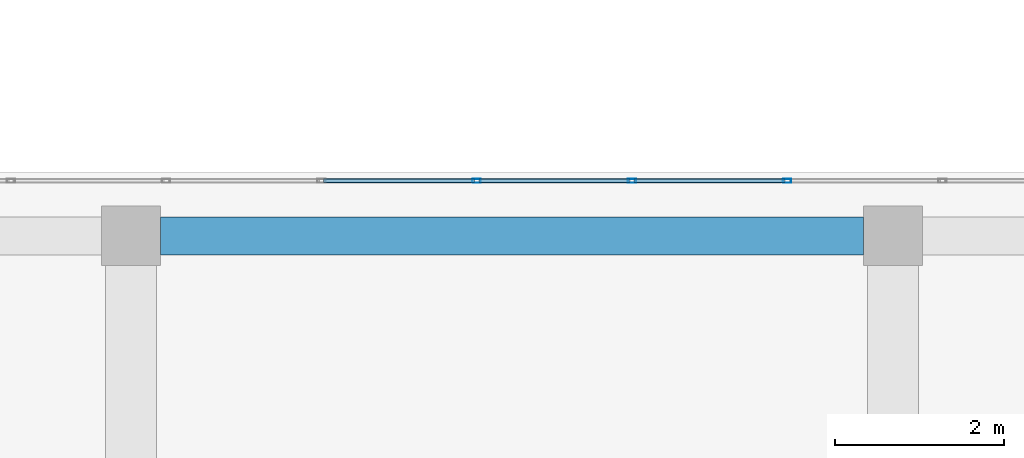
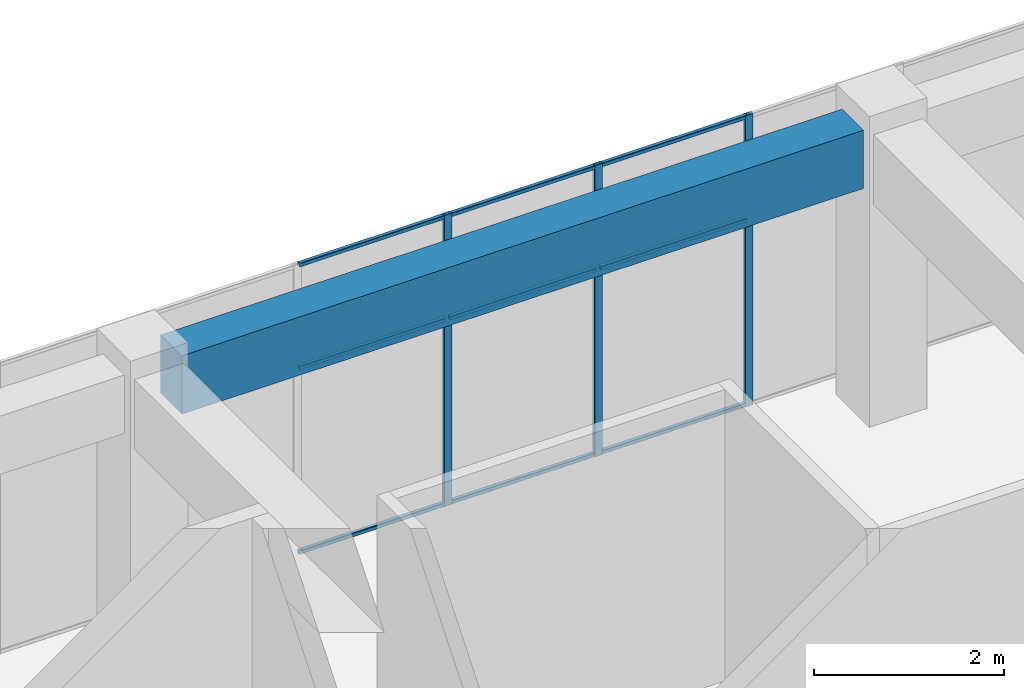
# One storey, part 30 of 43: 12 members, 1 beam, 1 element without a shape of its own.
"""IFC4 building model written with IfcOpenShell, lengths in metres."""

from ifc_helpers import new_model, si_unit, direction, frame, origin, origin_2d, place, context, subcontext, project, spatial, rectangle, hollow_rectangle, extrude, material, layer, layer_set, material_profile, profile_set, type_object, element, aggregate, save


model = new_model("IFC4")

# Units and contexts
model_context = context("Model", 3, precision=1e-05, world=origin(), true_north=direction((0.0, 1.0)))
body_context = subcontext(model_context, "Body", "Model", "MODEL_VIEW")
ifc_project = project(units=[si_unit("LENGTHUNIT", "METRE"), si_unit("AREAUNIT", "SQUARE_METRE"), si_unit("VOLUMEUNIT", "CUBIC_METRE"), si_unit("PLANEANGLEUNIT", "RADIAN"), si_unit("MASSUNIT", "GRAM", prefix="KILO")], contexts=[model_context])

# Site, building, storey
site_placement = place(None, origin())
site = spatial("IfcSite", under=ifc_project, at=site_placement, CompositionType="ELEMENT")
building_placement = place(site_placement, origin())
building = spatial("IfcBuilding", under=site, at=building_placement, Name="Tuart Plaza Theatre", CompositionType="ELEMENT")
storey_placement = place(building_placement, frame((0.0, 0.0, 33.5)))
storey = spatial("IfcBuildingStorey", under=building, at=storey_placement, Name="L08", CompositionType="ELEMENT", Elevation=33.5)

# Beam
ifc_material_1 = material(Name="Concrete N40 (40 MPa)", Category="concrete")
ifc_material_profile_1 = material_profile(ifc_material_1, rectangle(XDim=0.449951171875, YDim=0.75, at=origin_2d()), Name="BEAM 450x750 Concrete N40 (40 MPa)")
ifc_profile_set_1 = profile_set([ifc_material_profile_1], Name="Concrete N40 (40 MPa)")
beam_type = type_object("IfcBeamType", Name="BEAM 450x750 Concrete N40 (40 MPa)", PredefinedType="BEAM", material=ifc_profile_set_1)
beam_placement = place(storey_placement, frame((123.35009765625, 92.0, 3.375), z_axis=(1.0, 0.0, 0.0), x_axis=(0.0, 1.0, 0.0)))
element("IfcBeam", 1, at=beam_placement, inside=storey, type_object=beam_type, Name="RB267", PredefinedType="BEAM", context=body_context, shape_type="SweptSolid", body=[
    extrude(rectangle(XDim=0.449951171875, YDim=0.75, at=origin_2d()), origin(), (0.0, 0.0, 1.0), 8.2998046875),
])

# Curtain wall, members
ifc_material_2 = material(Name="Aluminium and glass", Category="aluminium")
ifc_layer = layer(ifc_material_2, 0.10009765625)
ifc_layer_set = layer_set([ifc_layer], Name="CURTAIN WALL 1800 module")
curtain_wall_type = type_object("IfcCurtainWallType", Name="CURTAIN WALL 1800 module", PredefinedType="NOTDEFINED", material=ifc_layer_set)
curtain_wall_placement = place(storey_placement, origin())
curtain_wall = element("IfcCurtainWall", 2, at=curtain_wall_placement, inside=storey, type_object=curtain_wall_type, Name="CW95", PredefinedType="NOTDEFINED")
ifc_material_3 = material(Name="Aluminium 6063-T5", Category="aluminium")
ifc_material_profile_2 = material_profile(ifc_material_3, hollow_rectangle(XDim=0.050048828125, YDim=0.10009765625, WallThickness=0.00390625, InnerFilletRadius=0.00390625, OuterFilletRadius=0.008056640625, at=origin_2d()), Name="RHS 100x50x4")
ifc_profile_set_2 = profile_set([ifc_material_profile_2], Name="Aluminium 6063-T5")
member_type_1 = type_object("IfcMemberType", Name="MULLION RHS 100x50x4", PredefinedType="MULLION", material=ifc_profile_set_2)
member_1_placement = place(storey_placement, frame((130.75, 92.64990234375, 0.0), z_axis=(0.0, 0.0, 1.0), x_axis=(0.0, -1.0, 0.0)))
member_1 = element("IfcMember", 3, at=member_1_placement, type_object=member_type_1, Name="CW95 mullion 7", PredefinedType="MULLION", context=body_context, shape_type="SweptSolid", body=[
    extrude(hollow_rectangle(XDim=0.050048828125, YDim=0.10009765625, WallThickness=0.00390625, InnerFilletRadius=0.00390625, OuterFilletRadius=0.008056640625, at=origin_2d()), origin(), (0.0, 0.0, 1.0), 3.75),
])
member_2_placement = place(storey_placement, frame((128.916748046875, 92.64990234375, 0.0), z_axis=(0.0, 0.0, 1.0), x_axis=(0.0, -1.0, 0.0)))
member_2 = element("IfcMember", 4, at=member_2_placement, type_object=member_type_1, Name="CW95 mullion 8", PredefinedType="MULLION", context=body_context, shape_type="SweptSolid", body=[
    extrude(hollow_rectangle(XDim=0.050048828125, YDim=0.10009765625, WallThickness=0.00390625, InnerFilletRadius=0.00390625, OuterFilletRadius=0.008056640625, at=origin_2d()), origin(), (0.0, 0.0, 1.0), 3.75),
])
member_3_placement = place(storey_placement, frame((127.083251953125, 92.64990234375, 0.0), z_axis=(0.0, 0.0, 1.0), x_axis=(0.0, -1.0, 0.0)))
member_3 = element("IfcMember", 5, at=member_3_placement, type_object=member_type_1, Name="CW95 mullion 9", PredefinedType="MULLION", context=body_context, shape_type="SweptSolid", body=[
    extrude(hollow_rectangle(XDim=0.050048828125, YDim=0.10009765625, WallThickness=0.00390625, InnerFilletRadius=0.00390625, OuterFilletRadius=0.008056640625, at=origin_2d()), origin(), (0.0, 0.0, 1.0), 3.75),
])
ifc_material_4 = material(Name="Aluminium 6063-T5", Category="aluminium")
ifc_material_profile_3 = material_profile(ifc_material_4, hollow_rectangle(XDim=0.050048828125, YDim=0.050048828125, WallThickness=0.00390625, InnerFilletRadius=0.00390625, OuterFilletRadius=0.008056640625, at=origin_2d()), Name="RHS 50x50x4")
ifc_profile_set_3 = profile_set([ifc_material_profile_3], Name="Aluminium 6063-T5")
member_type_2 = type_object("IfcMemberType", Name="TRANSOM RHS 50x50x4", PredefinedType="USERDEFINED", material=ifc_profile_set_3)
member_4_placement = place(storey_placement, frame((130.72509765625, 92.64990234375, 0.02490234375), z_axis=(-1.0, 0.0, 0.0), x_axis=(0.0, -1.0, 0.0)))
member_4 = element("IfcMember", 6, at=member_4_placement, type_object=member_type_2, Name="CW95 transom 7.1", ObjectType="TRANSOM", PredefinedType="USERDEFINED", context=body_context, shape_type="SweptSolid", body=[
    extrude(hollow_rectangle(XDim=0.050048828125, YDim=0.050048828125, WallThickness=0.00390625, InnerFilletRadius=0.00390625, OuterFilletRadius=0.008056640625, at=origin_2d()), origin(), (0.0, 0.0, 1.0), 1.783447265625),
])
member_5_placement = place(storey_placement, frame((130.72509765625, 92.64990234375, 2.39990234375), z_axis=(-1.0, 0.0, 0.0), x_axis=(0.0, -1.0, 0.0)))
member_5 = element("IfcMember", 7, at=member_5_placement, type_object=member_type_2, Name="CW95 transom 7.2", ObjectType="TRANSOM", PredefinedType="USERDEFINED", context=body_context, shape_type="SweptSolid", body=[
    extrude(hollow_rectangle(XDim=0.050048828125, YDim=0.050048828125, WallThickness=0.00390625, InnerFilletRadius=0.00390625, OuterFilletRadius=0.008056640625, at=origin_2d()), origin(), (0.0, 0.0, 1.0), 1.783447265625),
])
member_6_placement = place(storey_placement, frame((130.72509765625, 92.64990234375, 3.72509765625), z_axis=(-1.0, 0.0, 0.0), x_axis=(0.0, -1.0, 0.0)))
member_6 = element("IfcMember", 8, at=member_6_placement, type_object=member_type_2, Name="CW95 transom 7.3", ObjectType="TRANSOM", PredefinedType="USERDEFINED", context=body_context, shape_type="SweptSolid", body=[
    extrude(hollow_rectangle(XDim=0.050048828125, YDim=0.050048828125, WallThickness=0.00390625, InnerFilletRadius=0.00390625, OuterFilletRadius=0.008056640625, at=origin_2d()), origin(), (0.0, 0.0, 1.0), 1.783447265625),
])
member_7_placement = place(storey_placement, frame((128.8916015625, 92.64990234375, 0.02490234375), z_axis=(-1.0, 0.0, 0.0), x_axis=(0.0, -1.0, 0.0)))
member_7 = element("IfcMember", 9, at=member_7_placement, type_object=member_type_2, Name="CW95 transom 8.1", ObjectType="TRANSOM", PredefinedType="USERDEFINED", context=body_context, shape_type="SweptSolid", body=[
    extrude(hollow_rectangle(XDim=0.050048828125, YDim=0.050048828125, WallThickness=0.00390625, InnerFilletRadius=0.00390625, OuterFilletRadius=0.008056640625, at=origin_2d()), origin(), (0.0, 0.0, 1.0), 1.783203125),
])
member_8_placement = place(storey_placement, frame((128.8916015625, 92.64990234375, 2.39990234375), z_axis=(-1.0, 0.0, 0.0), x_axis=(0.0, -1.0, 0.0)))
member_8 = element("IfcMember", 10, at=member_8_placement, type_object=member_type_2, Name="CW95 transom 8.2", ObjectType="TRANSOM", PredefinedType="USERDEFINED", context=body_context, shape_type="SweptSolid", body=[
    extrude(hollow_rectangle(XDim=0.050048828125, YDim=0.050048828125, WallThickness=0.00390625, InnerFilletRadius=0.00390625, OuterFilletRadius=0.008056640625, at=origin_2d()), origin(), (0.0, 0.0, 1.0), 1.783203125),
])
member_9_placement = place(storey_placement, frame((128.8916015625, 92.64990234375, 3.72509765625), z_axis=(-1.0, 0.0, 0.0), x_axis=(0.0, -1.0, 0.0)))
member_9 = element("IfcMember", 11, at=member_9_placement, type_object=member_type_2, Name="CW95 transom 8.3", ObjectType="TRANSOM", PredefinedType="USERDEFINED", context=body_context, shape_type="SweptSolid", body=[
    extrude(hollow_rectangle(XDim=0.050048828125, YDim=0.050048828125, WallThickness=0.00390625, InnerFilletRadius=0.00390625, OuterFilletRadius=0.008056640625, at=origin_2d()), origin(), (0.0, 0.0, 1.0), 1.783203125),
])
member_10_placement = place(storey_placement, frame((127.058349609375, 92.64990234375, 0.02490234375), z_axis=(-1.0, 0.0, 0.0), x_axis=(0.0, -1.0, 0.0)))
member_10 = element("IfcMember", 12, at=member_10_placement, type_object=member_type_2, Name="CW95 transom 9.1", ObjectType="TRANSOM", PredefinedType="USERDEFINED", context=body_context, shape_type="SweptSolid", body=[
    extrude(hollow_rectangle(XDim=0.050048828125, YDim=0.050048828125, WallThickness=0.00390625, InnerFilletRadius=0.00390625, OuterFilletRadius=0.008056640625, at=origin_2d()), origin(), (0.0, 0.0, 1.0), 1.783447265625),
])
member_11_placement = place(storey_placement, frame((127.058349609375, 92.64990234375, 2.39990234375), z_axis=(-1.0, 0.0, 0.0), x_axis=(0.0, -1.0, 0.0)))
member_11 = element("IfcMember", 13, at=member_11_placement, type_object=member_type_2, Name="CW95 transom 9.2", ObjectType="TRANSOM", PredefinedType="USERDEFINED", context=body_context, shape_type="SweptSolid", body=[
    extrude(hollow_rectangle(XDim=0.050048828125, YDim=0.050048828125, WallThickness=0.00390625, InnerFilletRadius=0.00390625, OuterFilletRadius=0.008056640625, at=origin_2d()), origin(), (0.0, 0.0, 1.0), 1.783447265625),
])
member_12_placement = place(storey_placement, frame((127.058349609375, 92.64990234375, 3.72509765625), z_axis=(-1.0, 0.0, 0.0), x_axis=(0.0, -1.0, 0.0)))
member_12 = element("IfcMember", 14, at=member_12_placement, type_object=member_type_2, Name="CW95 transom 9.3", ObjectType="TRANSOM", PredefinedType="USERDEFINED", context=body_context, shape_type="SweptSolid", body=[
    extrude(hollow_rectangle(XDim=0.050048828125, YDim=0.050048828125, WallThickness=0.00390625, InnerFilletRadius=0.00390625, OuterFilletRadius=0.008056640625, at=origin_2d()), origin(), (0.0, 0.0, 1.0), 1.783447265625),
])
aggregate(curtain_wall, [member_1, member_2, member_3, member_4, member_5, member_6, member_7, member_8, member_9, member_10, member_11, member_12])

save(model, "model.ifc")
